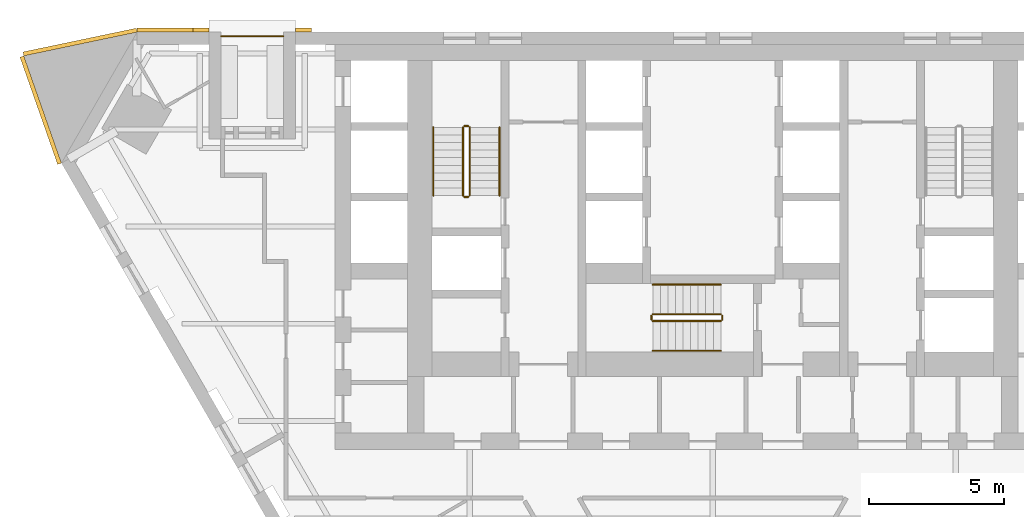
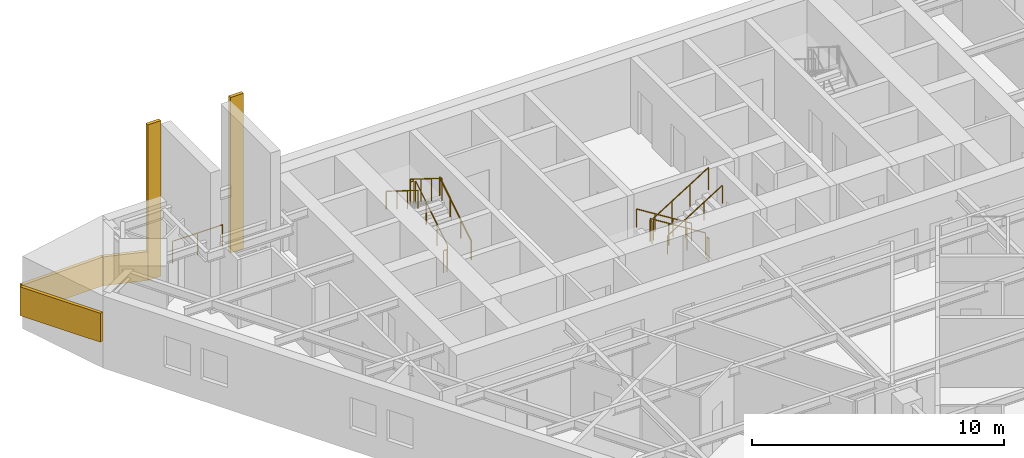
# One storey, part 8 of 9: 13 railings, 5 coverings.
"""IFC4 building model written with IfcOpenShell, lengths in metres."""

from ifc_helpers import new_model, si_unit, direction, frame, origin, origin_2d, place, context, subcontext, project, spatial, polyline, circle, outline, extrude, material, layer, layer_set, type_object, element, save


model = new_model("IFC4")

# Units and contexts
model_context = context("Model", 3, precision=1e-05, world=origin(), true_north=direction((0.0, 1.0)))
body_context = subcontext(model_context, "Body", "Model", "MODEL_VIEW")
ifc_project = project(units=[si_unit("LENGTHUNIT", "METRE"), si_unit("AREAUNIT", "SQUARE_METRE"), si_unit("VOLUMEUNIT", "CUBIC_METRE"), si_unit("PLANEANGLEUNIT", "RADIAN"), si_unit("MASSUNIT", "GRAM", prefix="KILO")], contexts=[model_context])

# Site, building, storey
site_placement = place(None, origin())
site = spatial("IfcSite", under=ifc_project, at=site_placement, CompositionType="ELEMENT")
building_placement = place(site_placement, origin())
building = spatial("IfcBuilding", under=site, at=building_placement, Name="Aloe Facet Convention Tower", CompositionType="ELEMENT")
storey_placement = place(building_placement, frame((0.0, 0.0, 92.300048828125)))
storey = spatial("IfcBuildingStorey", under=building, at=storey_placement, Name="L22", CompositionType="ELEMENT", Elevation=92.300048828125)

# Railings
ifc_material_1 = material(Name="Steel S355 balustrade", Category="steel")
railing_type_1 = type_object("IfcRailingType", Name="CR-RL-GUARD", PredefinedType="GUARDRAIL", material=ifc_material_1)
railing_1_placement = place(storey_placement, frame((71.0, 128.949951171875, 0.175048828125)))
element("IfcRailing", 1, at=railing_1_placement, inside=storey, type_object=railing_type_1, Name="L22 ST1 stair guard 1", PredefinedType="GUARDRAIL", context=body_context, shape_type="SweptSolid", body=[
    extrude(circle(Radius=0.02392578125, at=origin_2d()), frame((0.0, 0.0, 1.076171875), z_axis=(0.0, 0.848007534815, 0.529984170421), x_axis=(-1.0, 0.0, 0.0)), (0.0, 0.0, 1.0), 2.9716796875),
    extrude(circle(Radius=0.02099609375, at=origin_2d()), origin(), (0.0, 0.0, 1.0), 1.052001953125),
    extrude(circle(Radius=0.02099609375, at=origin_2d()), frame((0.0, 0.840087890625, 0.52490234375)), (0.0, 0.0, 1.0), 1.052001953125),
    extrude(circle(Radius=0.02099609375, at=origin_2d()), frame((0.0, 1.679931640625, 1.050048828125)), (0.0, 0.0, 1.0), 1.052001953125),
    extrude(circle(Radius=0.02099609375, at=origin_2d()), frame((0.0, 2.52001953125, 1.574951171875)), (0.0, 0.0, 1.0), 1.052001953125),
])
railing_2_placement = place(storey_placement, frame((70.949951171875, 131.52001953125, 1.75)))
element("IfcRailing", 2, at=railing_2_placement, inside=storey, type_object=railing_type_1, Name="L22 ST1 stair guard 2", PredefinedType="GUARDRAIL", context=body_context, shape_type="SweptSolid", body=[
    extrude(circle(Radius=0.02392578125, at=origin_2d()), frame((0.0, 0.0, 1.076171875), z_axis=(-1.0, 0.0, 0.0), x_axis=(0.0, -1.0, 0.0)), (0.0, 0.0, 1.0), 0.14990234375),
    extrude(circle(Radius=0.02099609375, at=origin_2d()), origin(), (0.0, 0.0, 1.0), 1.052001953125),
    extrude(circle(Radius=0.02099609375, at=origin_2d()), frame((-0.14990234375, 0.0, 0.0)), (0.0, 0.0, 1.0), 1.052001953125),
])
railing_3_placement = place(storey_placement, frame((70.75, 131.469970703125, 1.925048828125)))
element("IfcRailing", 3, at=railing_3_placement, inside=storey, type_object=railing_type_1, Name="L22 ST1 stair guard 3", PredefinedType="GUARDRAIL", context=body_context, shape_type="SweptSolid", body=[
    extrude(circle(Radius=0.02392578125, at=origin_2d()), frame((0.0, 0.0, 1.076171875), z_axis=(0.0, -0.848007534815, 0.529984170421), x_axis=(1.0, 0.0, 0.0)), (0.0, 0.0, 1.0), 2.9716796875),
    extrude(circle(Radius=0.02099609375, at=origin_2d()), origin(), (0.0, 0.0, 1.0), 1.052001953125),
    extrude(circle(Radius=0.02099609375, at=origin_2d()), frame((0.0, -0.840087890625, 0.52490234375)), (0.0, 0.0, 1.0), 1.052001953125),
    extrude(circle(Radius=0.02099609375, at=origin_2d()), frame((0.0, -1.679931640625, 1.050048828125)), (0.0, 0.0, 1.0), 1.052001953125),
    extrude(circle(Radius=0.02099609375, at=origin_2d()), frame((0.0, -2.52001953125, 1.574951171875)), (0.0, 0.0, 1.0), 1.052001953125),
])
railing_4_placement = place(storey_placement, frame((70.949951171875, 128.89990234375, 0.0)))
element("IfcRailing", 4, at=railing_4_placement, inside=storey, type_object=railing_type_1, Name="L22 ST1 stair guard 4", PredefinedType="GUARDRAIL", context=body_context, shape_type="SweptSolid", body=[
    extrude(circle(Radius=0.02392578125, at=origin_2d()), frame((0.0, 0.0, 1.076171875), z_axis=(-1.0, 0.0, 0.0), x_axis=(0.0, -1.0, 0.0)), (0.0, 0.0, 1.0), 0.14990234375),
    extrude(circle(Radius=0.02099609375, at=origin_2d()), origin(), (0.0, 0.0, 1.0), 1.052001953125),
    extrude(circle(Radius=0.02099609375, at=origin_2d()), frame((-0.14990234375, 0.0, 0.0)), (0.0, 0.0, 1.0), 1.052001953125),
])
railing_5_placement = place(storey_placement, frame((80.300048828125, 124.550048828125, 0.175048828125)))
element("IfcRailing", 5, at=railing_5_placement, inside=storey, type_object=railing_type_1, Name="L22 ST3 stair guard 1", PredefinedType="GUARDRAIL", context=body_context, shape_type="SweptSolid", body=[
    extrude(circle(Radius=0.02392578125, at=origin_2d()), frame((0.0, 0.0, 1.076171875), z_axis=(-0.848007534815, 0.0, 0.529984170421), x_axis=(0.0, -1.0, 0.0)), (0.0, 0.0, 1.0), 2.9716796875),
    extrude(circle(Radius=0.02099609375, at=origin_2d()), origin(), (0.0, 0.0, 1.0), 1.052001953125),
    extrude(circle(Radius=0.02099609375, at=origin_2d()), frame((-0.840087890625, 0.0, 0.52490234375)), (0.0, 0.0, 1.0), 1.052001953125),
    extrude(circle(Radius=0.02099609375, at=origin_2d()), frame((-1.679931640625, 0.0, 1.050048828125)), (0.0, 0.0, 1.0), 1.052001953125),
    extrude(circle(Radius=0.02099609375, at=origin_2d()), frame((-2.52001953125, 0.0, 1.574951171875)), (0.0, 0.0, 1.0), 1.052001953125),
])
railing_6_placement = place(storey_placement, frame((77.72998046875, 124.5, 1.75)))
element("IfcRailing", 6, at=railing_6_placement, inside=storey, type_object=railing_type_1, Name="L22 ST3 stair guard 2", PredefinedType="GUARDRAIL", context=body_context, shape_type="SweptSolid", body=[
    extrude(circle(Radius=0.02392578125, at=origin_2d()), frame((0.0, 0.0, 1.076171875), z_axis=(0.0, -1.0, 0.0), x_axis=(1.0, 0.0, 0.0)), (0.0, 0.0, 1.0), 0.14990234375),
    extrude(circle(Radius=0.02099609375, at=origin_2d()), origin(), (0.0, 0.0, 1.0), 1.052001953125),
    extrude(circle(Radius=0.02099609375, at=origin_2d()), frame((0.0, -0.14990234375, 0.0)), (0.0, 0.0, 1.0), 1.052001953125),
])
railing_7_placement = place(storey_placement, frame((77.780029296875, 124.300048828125, 1.925048828125)))
element("IfcRailing", 7, at=railing_7_placement, inside=storey, type_object=railing_type_1, Name="L22 ST3 stair guard 3", PredefinedType="GUARDRAIL", context=body_context, shape_type="SweptSolid", body=[
    extrude(circle(Radius=0.02392578125, at=origin_2d()), frame((0.0, 0.0, 1.076171875), z_axis=(0.848007534815, 0.0, 0.529984170421), x_axis=(0.0, 1.0, 0.0)), (0.0, 0.0, 1.0), 2.9716796875),
    extrude(circle(Radius=0.02099609375, at=origin_2d()), origin(), (0.0, 0.0, 1.0), 1.052001953125),
    extrude(circle(Radius=0.02099609375, at=origin_2d()), frame((0.840087890625, 0.0, 0.52490234375)), (0.0, 0.0, 1.0), 1.052001953125),
    extrude(circle(Radius=0.02099609375, at=origin_2d()), frame((1.679931640625, 0.0, 1.050048828125)), (0.0, 0.0, 1.0), 1.052001953125),
    extrude(circle(Radius=0.02099609375, at=origin_2d()), frame((2.52001953125, 0.0, 1.574951171875)), (0.0, 0.0, 1.0), 1.052001953125),
])
railing_8_placement = place(storey_placement, frame((80.35009765625, 124.5, 0.0)))
element("IfcRailing", 8, at=railing_8_placement, inside=storey, type_object=railing_type_1, Name="L22 ST3 stair guard 4", PredefinedType="GUARDRAIL", context=body_context, shape_type="SweptSolid", body=[
    extrude(circle(Radius=0.02392578125, at=origin_2d()), frame((0.0, 0.0, 1.076171875), z_axis=(0.0, -1.0, 0.0), x_axis=(1.0, 0.0, 0.0)), (0.0, 0.0, 1.0), 0.14990234375),
    extrude(circle(Radius=0.02099609375, at=origin_2d()), origin(), (0.0, 0.0, 1.0), 1.052001953125),
    extrude(circle(Radius=0.02099609375, at=origin_2d()), frame((0.0, -0.14990234375, 0.0)), (0.0, 0.0, 1.0), 1.052001953125),
])
ifc_material_2 = material(Name="Steel S355 handrail", Category="steel")
railing_type_2 = type_object("IfcRailingType", Name="CR-RL-HAND", PredefinedType="HANDRAIL", material=ifc_material_2)
railing_9_placement = place(storey_placement, frame((72.10009765625, 128.949951171875, 0.175048828125)))
element("IfcRailing", 9, at=railing_9_placement, inside=storey, type_object=railing_type_2, Name="L22 ST1 stair handrail 1", PredefinedType="HANDRAIL", context=body_context, shape_type="SweptSolid", body=[
    extrude(circle(Radius=0.02392578125, at=origin_2d()), frame((0.0, 0.0, 0.8759765625), z_axis=(0.0, 0.848007534815, 0.529984170421), x_axis=(-1.0, 0.0, 0.0)), (0.0, 0.0, 1.0), 2.9716796875),
    extrude(circle(Radius=0.02099609375, at=origin_2d()), origin(), (0.0, 0.0, 1.0), 0.851806640625),
    extrude(circle(Radius=0.02099609375, at=origin_2d()), frame((0.0, 0.840087890625, 0.52490234375)), (0.0, 0.0, 1.0), 0.851806640625),
    extrude(circle(Radius=0.02099609375, at=origin_2d()), frame((0.0, 1.679931640625, 1.050048828125)), (0.0, 0.0, 1.0), 0.851806640625),
    extrude(circle(Radius=0.02099609375, at=origin_2d()), frame((0.0, 2.52001953125, 1.574951171875)), (0.0, 0.0, 1.0), 0.851806640625),
])
railing_10_placement = place(storey_placement, frame((69.64990234375, 131.469970703125, 1.925048828125)))
element("IfcRailing", 10, at=railing_10_placement, inside=storey, type_object=railing_type_2, Name="L22 ST1 stair handrail 2", PredefinedType="HANDRAIL", context=body_context, shape_type="SweptSolid", body=[
    extrude(circle(Radius=0.02392578125, at=origin_2d()), frame((0.0, 0.0, 0.8759765625), z_axis=(0.0, -0.848007534815, 0.529984170421), x_axis=(1.0, 0.0, 0.0)), (0.0, 0.0, 1.0), 2.9716796875),
    extrude(circle(Radius=0.02099609375, at=origin_2d()), origin(), (0.0, 0.0, 1.0), 0.851806640625),
    extrude(circle(Radius=0.02099609375, at=origin_2d()), frame((0.0, -0.840087890625, 0.52490234375)), (0.0, 0.0, 1.0), 0.851806640625),
    extrude(circle(Radius=0.02099609375, at=origin_2d()), frame((0.0, -1.679931640625, 1.050048828125)), (0.0, 0.0, 1.0), 0.851806640625),
    extrude(circle(Radius=0.02099609375, at=origin_2d()), frame((0.0, -2.52001953125, 1.574951171875)), (0.0, 0.0, 1.0), 0.851806640625),
])
railing_11_placement = place(storey_placement, frame((80.300048828125, 125.64990234375, 0.175048828125)))
element("IfcRailing", 11, at=railing_11_placement, inside=storey, type_object=railing_type_2, Name="L22 ST3 stair handrail 1", PredefinedType="HANDRAIL", context=body_context, shape_type="SweptSolid", body=[
    extrude(circle(Radius=0.02392578125, at=origin_2d()), frame((0.0, 0.0, 0.8759765625), z_axis=(-0.848007534815, 0.0, 0.529984170421), x_axis=(0.0, -1.0, 0.0)), (0.0, 0.0, 1.0), 2.9716796875),
    extrude(circle(Radius=0.02099609375, at=origin_2d()), origin(), (0.0, 0.0, 1.0), 0.851806640625),
    extrude(circle(Radius=0.02099609375, at=origin_2d()), frame((-0.840087890625, 0.0, 0.52490234375)), (0.0, 0.0, 1.0), 0.851806640625),
    extrude(circle(Radius=0.02099609375, at=origin_2d()), frame((-1.679931640625, 0.0, 1.050048828125)), (0.0, 0.0, 1.0), 0.851806640625),
    extrude(circle(Radius=0.02099609375, at=origin_2d()), frame((-2.52001953125, 0.0, 1.574951171875)), (0.0, 0.0, 1.0), 0.851806640625),
])
railing_12_placement = place(storey_placement, frame((77.780029296875, 123.199951171875, 1.925048828125)))
element("IfcRailing", 12, at=railing_12_placement, inside=storey, type_object=railing_type_2, Name="L22 ST3 stair handrail 2", PredefinedType="HANDRAIL", context=body_context, shape_type="SweptSolid", body=[
    extrude(circle(Radius=0.02392578125, at=origin_2d()), frame((0.0, 0.0, 0.8759765625), z_axis=(0.848007534815, 0.0, 0.529984170421), x_axis=(0.0, 1.0, 0.0)), (0.0, 0.0, 1.0), 2.9716796875),
    extrude(circle(Radius=0.02099609375, at=origin_2d()), origin(), (0.0, 0.0, 1.0), 0.851806640625),
    extrude(circle(Radius=0.02099609375, at=origin_2d()), frame((0.840087890625, 0.0, 0.52490234375)), (0.0, 0.0, 1.0), 0.851806640625),
    extrude(circle(Radius=0.02099609375, at=origin_2d()), frame((1.679931640625, 0.0, 1.050048828125)), (0.0, 0.0, 1.0), 0.851806640625),
    extrude(circle(Radius=0.02099609375, at=origin_2d()), frame((2.52001953125, 0.0, 1.574951171875)), (0.0, 0.0, 1.0), 0.851806640625),
])

# Coverings
ifc_material_3 = material(Name="Bronze oxide fascia sheet")
ifc_layer = layer(ifc_material_3, 0.14990234375)
ifc_layer_set = layer_set([ifc_layer], Name="EV-FASCIA-TERR")
covering_type = type_object("IfcCoveringType", Name="EV-FASCIA-TERR", PredefinedType="CLADDING", material=ifc_layer_set)
covering_1_placement = place(storey_placement, frame((0.0, 0.0, -0.550048828125)))
element("IfcCovering", 13, at=covering_1_placement, inside=storey, type_object=covering_type, Name="Terrace frame T04 1", PredefinedType="CLADDING", context=body_context, shape_type="SweptSolid", body=[
    extrude(outline(polyline([(65.142822265625, 135.14990234375), (64.542724609375, 135.14990234375), (64.542724609375, 135.0), (65.142822265625, 135.0), (65.142822265625, 135.14990234375)])), origin(), (0.0, 0.0, 1.0), 7.550048828125),
])
covering_2_placement = place(storey_placement, frame((0.0, 0.0, -0.550048828125)))
element("IfcCovering", 14, at=covering_2_placement, inside=storey, type_object=covering_type, Name="Terrace frame T04 2", PredefinedType="CLADDING", context=body_context, shape_type="SweptSolid", body=[
    extrude(outline(polyline([(61.3427734375, 135.14990234375), (60.74267578125, 135.14990234375), (60.74267578125, 135.0), (61.3427734375, 135.0), (61.3427734375, 135.14990234375)])), origin(), (0.0, 0.0, 1.0), 7.550048828125),
])
covering_3_placement = place(storey_placement, frame((60.74267578125, 135.14990234375, -0.550048828125), z_axis=(0.0, 1.0, 0.0), x_axis=(-0.975520104293, 0.0, 0.219910268336)))
element("IfcCovering", 15, at=covering_3_placement, inside=storey, type_object=covering_type, Name="Spiral ribbon zone 2 part 2", PredefinedType="CLADDING", context=body_context, shape_type="SweptSolid", body=[
    extrude(outline(polyline([(0.0, 0.0), (2.1160086555781668, 5.551115123125783e-17), (2.4239152446671155, 1.3658710444633058), (0.3078529000585931, 1.3656328803753435), (0.0, 0.0)])), origin(), (0.0, 0.0, -1.0), 0.14990234375),
])
covering_4_placement = place(storey_placement, frame((58.647705078125, 135.146728515625, -0.084716796875), z_axis=(-0.205375912704, 0.978683163481, 0.0), x_axis=(-0.968040454049, -0.203142548277, 0.147074077948)))
element("IfcCovering", 16, at=covering_4_placement, inside=storey, type_object=covering_type, Name="Spiral ribbon zone 2 part 3 over the corner spine", PredefinedType="CLADDING", context=body_context, shape_type="SweptSolid", body=[
    extrude(outline(polyline([(0.0, 0.0), (4.332558396017959, -1.1102230246251565e-16), (4.538447742442167, 1.384679078005353), (0.20592525318152005, 1.3849205637182946), (0.0, 0.0)])), origin(), (0.0, 0.0, -1.0), 0.14990234375),
])
covering_5_placement = place(storey_placement, frame((54.3427734375, 134.070068359375, 0.552490234375), z_axis=(-0.943507708392, -0.331350575984, 0.0), x_axis=(0.327750944918, -0.933257900773, 0.147000029761)))
element("IfcCovering", 17, at=covering_5_placement, inside=storey, type_object=covering_type, Name="Spiral ribbon zone 2 part 4 over the corner spine", PredefinedType="CLADDING", context=body_context, shape_type="SweptSolid", body=[
    extrude(outline(polyline([(0.0, 0.0), (4.253360639739102, -1.1102230246251565e-16), (4.459182214611686, 1.384935975785394), (0.20578568619344287, 1.3846944873850828), (0.0, 0.0)])), origin(), (0.0, 0.0, -1.0), 0.14990234375),
])

# Railing
ifc_material_4 = material(Name="Steel S355, bronze oxide finish", Category="steel")
railing_type_3 = type_object("IfcRailingType", Name="EV-GUARD-TERR", PredefinedType="GUARDRAIL", material=ifc_material_4)
railing_13_placement = place(storey_placement, frame((64.0927734375, 134.85009765625, 0.0)))
element("IfcRailing", 18, at=railing_13_placement, inside=storey, type_object=railing_type_3, Name="GUARD T04", PredefinedType="GUARDRAIL", context=body_context, shape_type="SweptSolid", body=[
    extrude(circle(Radius=0.02392578125, at=origin_2d()), frame((0.0, 0.0, 1.076171875), z_axis=(-1.0, 0.0, 0.0), x_axis=(0.0, -1.0, 0.0)), (0.0, 0.0, 1.0), 2.300048828125),
    extrude(circle(Radius=0.02099609375, at=origin_2d()), origin(), (0.0, 0.0, 1.0), 1.052001953125),
    extrude(circle(Radius=0.02099609375, at=origin_2d()), frame((-1.14990234375, 0.0, 0.0)), (0.0, 0.0, 1.0), 1.052001953125),
    extrude(circle(Radius=0.02099609375, at=origin_2d()), frame((-2.300048828125, 0.0, 0.0)), (0.0, 0.0, 1.0), 1.052001953125),
])

save(model, "model.ifc")
